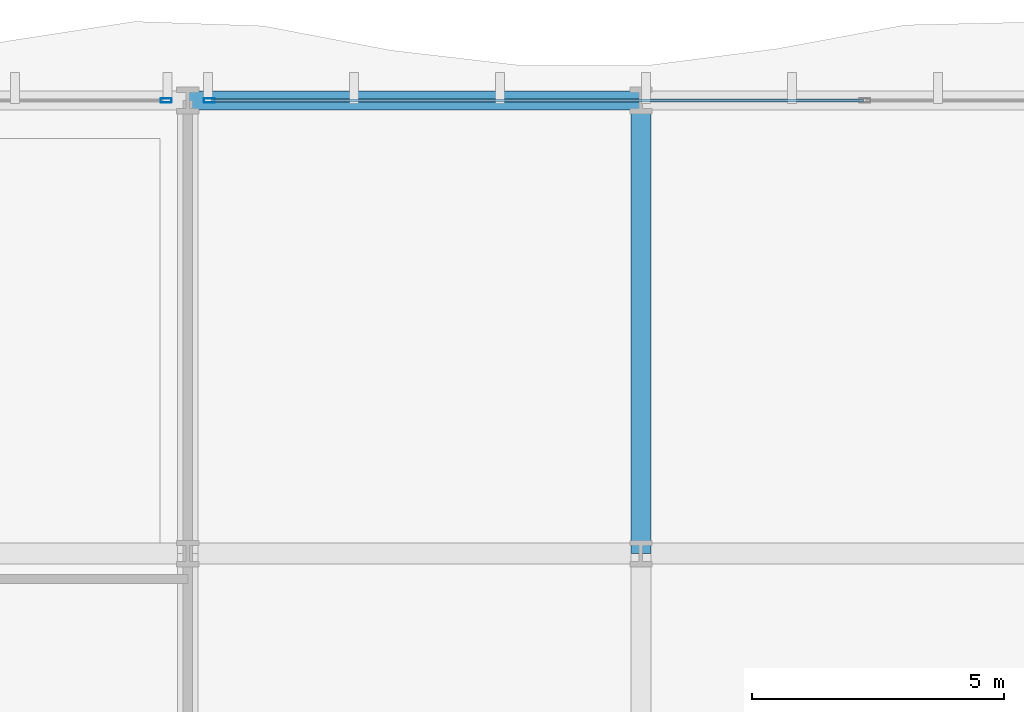
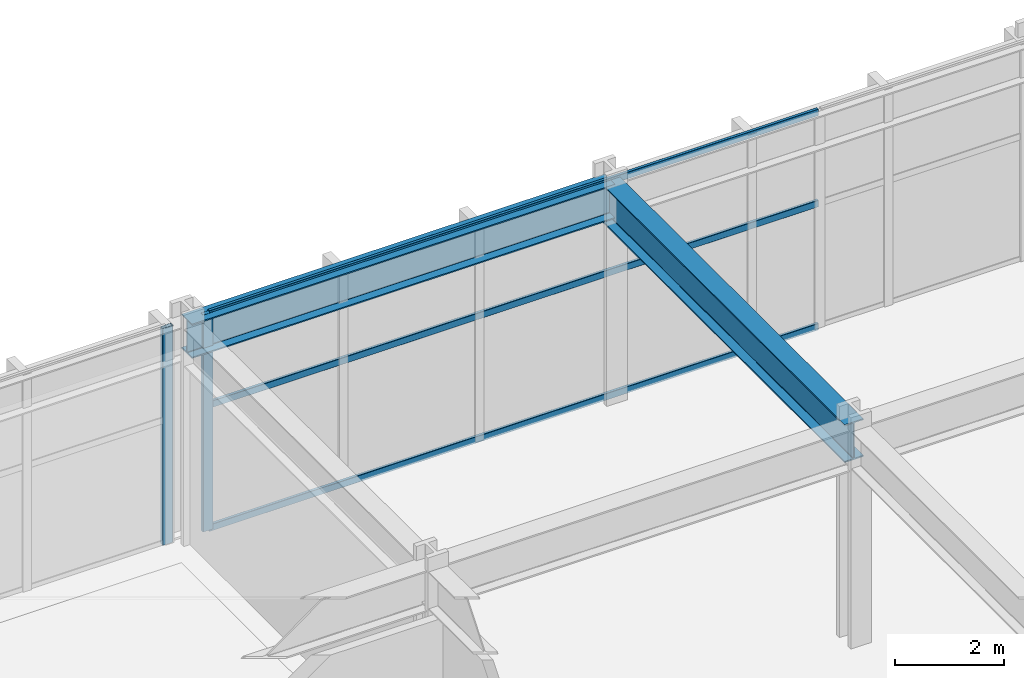
# One storey, part 14 of 33: 5 members, 2 beams, 2 elements without a shape of their own.
"""IFC4 building model written with IfcOpenShell, lengths in metres."""

from ifc_helpers import new_model, si_unit, direction, frame, origin, origin_2d, place, context, subcontext, project, spatial, hollow_rectangle, i_section, extrude, material, layer, layer_set, material_profile, profile_set, type_object, element, aggregate, save


model = new_model("IFC4")

# Units and contexts
model_context = context("Model", 3, precision=1e-05, world=origin(), true_north=direction((0.0, 1.0)))
body_context = subcontext(model_context, "Body", "Model", "MODEL_VIEW")
ifc_project = project(units=[si_unit("LENGTHUNIT", "METRE"), si_unit("AREAUNIT", "SQUARE_METRE"), si_unit("VOLUMEUNIT", "CUBIC_METRE"), si_unit("PLANEANGLEUNIT", "RADIAN"), si_unit("MASSUNIT", "GRAM", prefix="KILO")], contexts=[model_context])

# Site, building, storey
site_placement = place(None, origin())
site = spatial("IfcSite", under=ifc_project, at=site_placement, CompositionType="ELEMENT")
building_placement = place(site_placement, origin())
building = spatial("IfcBuilding", under=site, at=building_placement, Name="Solvaryn Broadcast Tower", CompositionType="ELEMENT")
storey_placement = place(building_placement, frame((0.0, 0.0, 5.800048828125)))
storey = spatial("IfcBuildingStorey", under=building, at=storey_placement, Name="L01", CompositionType="ELEMENT", Elevation=5.800048828125)

# Beams
ifc_material_1 = material(Name="Steel ASTM A992 Grade 50", Category="steel")
ifc_material_profile_1 = material_profile(ifc_material_1, i_section(OverallWidth=0.39990234375, OverallDepth=0.85498046875, WebThickness=0.018310546875, FlangeThickness=0.029296875, FilletRadius=0.02001953125, at=origin_2d()))
ifc_profile_set_1 = profile_set([ifc_material_profile_1], Name="Steel ASTM A992 Grade 50")
beam_type_1 = type_object("IfcBeamType", Name="BM-G3-W33X201", PredefinedType="BEAM", material=ifc_profile_set_1)
beam_1_placement = place(storey_placement, frame((45.0, 45.0, 4.452392578125), z_axis=(0.0, 1.0, 0.0), x_axis=(-1.0, 0.0, 0.0)))
element("IfcBeam", 1, at=beam_1_placement, inside=storey, type_object=beam_type_1, Name="L01 Primary Beam Y (45-54 @ X=45)", PredefinedType="BEAM", context=body_context, shape_type="SweptSolid", body=[
    extrude(i_section(OverallWidth=0.39990234375, OverallDepth=0.85498046875, WebThickness=0.018310546875, FlangeThickness=0.029296875, FilletRadius=0.02001953125, at=origin_2d()), origin(), (0.0, 0.0, 1.0), 9.0),
])
ifc_material_2 = material(Name="Steel ASTM A992 Grade 50", Category="steel")
ifc_material_profile_2 = material_profile(ifc_material_2, i_section(OverallWidth=0.381103515625, OverallDepth=0.77294921875, WebThickness=0.0166015625, FlangeThickness=0.027099609375, FilletRadius=0.01806640625, at=origin_2d()))
ifc_profile_set_2 = profile_set([ifc_material_profile_2], Name="Steel ASTM A992 Grade 50")
beam_type_2 = type_object("IfcBeamType", Name="BM-SP1-W30X173", PredefinedType="USERDEFINED", material=ifc_profile_set_2)
beam_2_placement = place(storey_placement, frame((36.0, 54.0, 4.493408203125), z_axis=(1.0, 0.0, 0.0), x_axis=(0.0, 1.0, 0.0)))
element("IfcBeam", 2, at=beam_2_placement, inside=storey, type_object=beam_type_2, Name="L01 Spandrel Beam X (36-45 @ Y=54)", ObjectType="SPANDREL", PredefinedType="USERDEFINED", context=body_context, shape_type="SweptSolid", body=[
    extrude(i_section(OverallWidth=0.381103515625, OverallDepth=0.77294921875, WebThickness=0.0166015625, FlangeThickness=0.027099609375, FilletRadius=0.01806640625, at=origin_2d()), origin(), (0.0, 0.0, 1.0), 9.0),
])

# Curtain wall, member
ifc_material_3 = material(Name="Aluminium and Terracotta Unitised Curtain Wall", Category="masonry")
ifc_layer = layer(ifc_material_3, 0.219970703125)
ifc_layer_set = layer_set([ifc_layer], Name="CW-SYS1-PODIUM")
curtain_wall_type = type_object("IfcCurtainWallType", Name="CW-SYS1-PODIUM", PredefinedType="NOTDEFINED", material=ifc_layer_set)
curtain_wall_1_placement = place(storey_placement, origin())
curtain_wall_1 = element("IfcCurtainWall", 3, at=curtain_wall_1_placement, inside=storey, type_object=curtain_wall_type, Name="L01 Podium Curtain Wall N1", PredefinedType="NOTDEFINED")
ifc_material_4 = material(Name="Anodised Aluminium 6063-T6", Category="aluminium")
ifc_material_profile_3 = material_profile(ifc_material_4, hollow_rectangle(XDim=0.0849609375, YDim=0.219970703125, WallThickness=0.0048828125, InnerFilletRadius=0.0048828125, OuterFilletRadius=0.010009765625, at=origin_2d()))
ifc_profile_set_3 = profile_set([ifc_material_profile_3], Name="Anodised Aluminium 6063-T6")
member_type_1 = type_object("IfcMemberType", Name="CW-MUL-220", PredefinedType="MULLION", material=ifc_profile_set_3)
member_1_placement = place(storey_placement, frame((35.570068359375, 54.0, 0.0), z_axis=(0.0, 0.0, 1.0), x_axis=(0.0, 1.0, 0.0)))
member_1 = element("IfcMember", 4, at=member_1_placement, type_object=member_type_1, Name="CWS1 mullion 3", PredefinedType="MULLION", context=body_context, shape_type="SweptSolid", body=[
    extrude(hollow_rectangle(XDim=0.0849609375, YDim=0.219970703125, WallThickness=0.0048828125, InnerFilletRadius=0.0048828125, OuterFilletRadius=0.010009765625, at=origin_2d()), origin(), (0.0, 0.0, 1.0), 4.8798828125),
])
aggregate(curtain_wall_1, [member_1])

# Curtain wall, members
curtain_wall_2_placement = place(storey_placement, origin())
curtain_wall_2 = element("IfcCurtainWall", 5, at=curtain_wall_2_placement, inside=storey, type_object=curtain_wall_type, Name="L01 Podium Curtain Wall N2", PredefinedType="NOTDEFINED")
member_2_placement = place(storey_placement, frame((36.429931640625, 54.0, 0.0), z_axis=(0.0, 0.0, 1.0), x_axis=(0.0, 1.0, 0.0)))
member_2 = element("IfcMember", 6, at=member_2_placement, type_object=member_type_1, Name="CWS1 mullion 1", PredefinedType="MULLION", context=body_context, shape_type="SweptSolid", body=[
    extrude(hollow_rectangle(XDim=0.0849609375, YDim=0.219970703125, WallThickness=0.0048828125, InnerFilletRadius=0.0048828125, OuterFilletRadius=0.010009765625, at=origin_2d()), origin(), (0.0, 0.0, 1.0), 4.8798828125),
])
ifc_material_5 = material(Name="Anodised Aluminium 6063-T6", Category="aluminium")
ifc_material_profile_4 = material_profile(ifc_material_5, hollow_rectangle(XDim=0.06494140625, YDim=0.14990234375, WallThickness=0.00390625, InnerFilletRadius=0.00390625, OuterFilletRadius=0.008056640625, at=origin_2d()))
ifc_profile_set_4 = profile_set([ifc_material_profile_4], Name="Anodised Aluminium 6063-T6")
member_type_2 = type_object("IfcMemberType", Name="CW-TRN-150", PredefinedType="USERDEFINED", material=ifc_profile_set_4)
member_3_placement = place(storey_placement, frame((36.4599609375, 54.0, 0.030029296875), z_axis=(1.0, 0.0, 0.0), x_axis=(0.0, 1.0, 0.0)))
member_3 = element("IfcMember", 7, at=member_3_placement, type_object=member_type_2, Name="CWS1 transom 1.1", ObjectType="TRANSOM", PredefinedType="USERDEFINED", context=body_context, shape_type="SweptSolid", body=[
    extrude(hollow_rectangle(XDim=0.06494140625, YDim=0.14990234375, WallThickness=0.00390625, InnerFilletRadius=0.00390625, OuterFilletRadius=0.008056640625, at=origin_2d()), origin(), (0.0, 0.0, 1.0), 12.9599609375),
])
member_4_placement = place(storey_placement, frame((36.4599609375, 54.0, 2.800048828125), z_axis=(1.0, 0.0, 0.0), x_axis=(0.0, 1.0, 0.0)))
member_4 = element("IfcMember", 8, at=member_4_placement, type_object=member_type_2, Name="CWS1 transom 1.2", ObjectType="TRANSOM", PredefinedType="USERDEFINED", context=body_context, shape_type="SweptSolid", body=[
    extrude(hollow_rectangle(XDim=0.06494140625, YDim=0.14990234375, WallThickness=0.00390625, InnerFilletRadius=0.00390625, OuterFilletRadius=0.008056640625, at=origin_2d()), origin(), (0.0, 0.0, 1.0), 12.9599609375),
])
member_5_placement = place(storey_placement, frame((36.4599609375, 54.0, 4.849853515625), z_axis=(1.0, 0.0, 0.0), x_axis=(0.0, 1.0, 0.0)))
member_5 = element("IfcMember", 9, at=member_5_placement, type_object=member_type_2, Name="CWS1 transom 1.3", ObjectType="TRANSOM", PredefinedType="USERDEFINED", context=body_context, shape_type="SweptSolid", body=[
    extrude(hollow_rectangle(XDim=0.06494140625, YDim=0.14990234375, WallThickness=0.00390625, InnerFilletRadius=0.00390625, OuterFilletRadius=0.008056640625, at=origin_2d()), origin(), (0.0, 0.0, 1.0), 12.9599609375),
])
aggregate(curtain_wall_2, [member_2, member_3, member_4, member_5])

save(model, "model.ifc")
